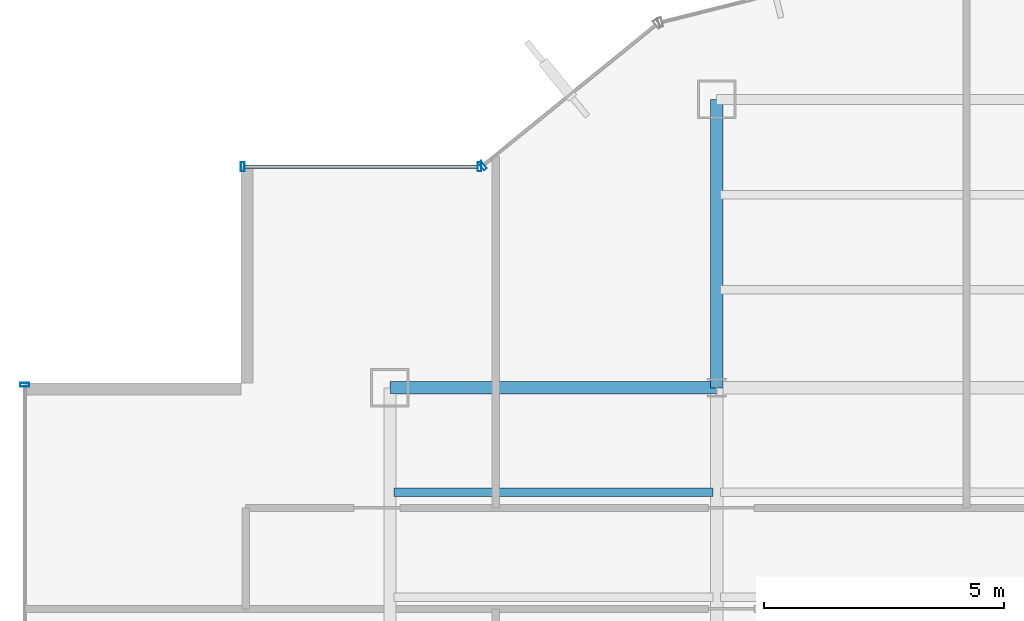
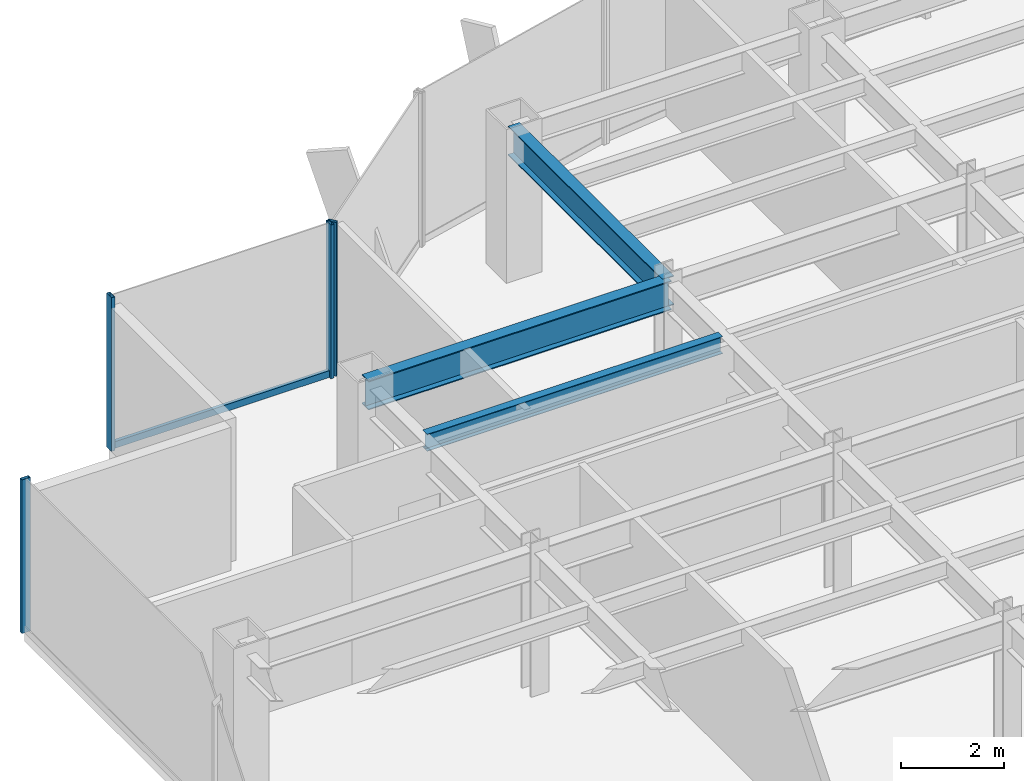
# One storey, part 13 of 26: 5 members, 3 beams, 3 elements without a shape of their own.
"""IFC4 building model written with IfcOpenShell, lengths in metres."""

from ifc_helpers import new_model, si_unit, derived_unit, direction, frame, origin, origin_2d, place, context, subcontext, project, spatial, hollow_rectangle, i_section, extrude, source, transform, mapped, material, material_profile, profile_set, type_object, element, aggregate, save


model = new_model("IFC4")

# Units and contexts
model_context = context("Model", 3, precision=1e-05, world=origin(), true_north=direction((0.0, 1.0)))
body_context = subcontext(model_context, "Body", "Model", "MODEL_VIEW")
ifc_project = project(units=[si_unit("LENGTHUNIT", "METRE"), si_unit("AREAUNIT", "SQUARE_METRE"), si_unit("VOLUMEUNIT", "CUBIC_METRE"), si_unit("PLANEANGLEUNIT", "RADIAN"), si_unit("MASSUNIT", "GRAM", prefix="KILO"), derived_unit("THERMALTRANSMITTANCEUNIT", [(si_unit("POWERUNIT", "WATT"), 1), (si_unit("LENGTHUNIT", "METRE"), -2), (si_unit("THERMODYNAMICTEMPERATUREUNIT", "KELVIN"), -1)])], contexts=[model_context])

# Site, building, storey
site_placement = place(None, origin())
site = spatial("IfcSite", under=ifc_project, at=site_placement, CompositionType="ELEMENT")
building_placement = place(site_placement, origin())
building = spatial("IfcBuilding", under=site, at=building_placement, Name="Skarnbrae Concourse Arena and Tower", CompositionType="ELEMENT")
storey_placement = place(building_placement, frame((0.0, 0.0, 121.5)))
storey = spatial("IfcBuildingStorey", under=building, at=storey_placement, Name="L30", CompositionType="ELEMENT", Elevation=121.5)

# Beams
ifc_material_1 = material(Name="Steel CSA G40.21 350W", Category="steel")
ifc_material_profile_1 = material_profile(ifc_material_1, i_section(OverallWidth=0.256103515625, OverallDepth=0.693115234375, WebThickness=0.014404296875, FlangeThickness=0.023681640625, at=origin_2d()), Name="W690X170")
ifc_profile_set_1 = profile_set([ifc_material_profile_1], Name="Steel CSA G40.21 350W")
beam_type_1 = type_object("IfcBeamType", Name="BM-GIRD-W690X170", PredefinedType="BEAM", material=ifc_profile_set_1)
shared_shape_1 = source(origin(), body_context, "Body", "SweptSolid", [
    extrude(i_section(OverallWidth=0.256103515625, OverallDepth=0.693115234375, WebThickness=0.014404296875, FlangeThickness=0.023681640625, at=origin_2d()), origin(), (0.0, 0.0, 1.0), 6.7998046875),
])
beam_1_placement = place(storey_placement, frame((7.60009765625, 34.39990234375, 3.053466796875), z_axis=(1.0, 0.0, 0.0), x_axis=(0.0, 1.0, 0.0)))
element("IfcBeam", 1, at=beam_1_placement, inside=storey, type_object=beam_type_1, Name="L30 Primary E-W girder Y34.4-1", PredefinedType="BEAM", context=body_context, shape_type="MappedRepresentation", body=[
    mapped(shared_shape_1, transform((0.0, 0.0, 0.0))),
])
shared_shape_2 = source(origin(), body_context, "Body", "SweptSolid", [
    extrude(i_section(OverallWidth=0.256103515625, OverallDepth=0.693115234375, WebThickness=0.014404296875, FlangeThickness=0.023681640625, at=origin_2d()), origin(), (0.0, 0.0, 1.0), 6.0),
])
beam_2_placement = place(storey_placement, frame((14.39990234375, 34.39990234375, 3.053466796875), z_axis=(0.0, 1.0, 0.0), x_axis=(-1.0, 0.0, 0.0)))
element("IfcBeam", 2, at=beam_2_placement, inside=storey, type_object=beam_type_1, Name="L30 Primary N-S girder X14.4-4", PredefinedType="BEAM", context=body_context, shape_type="MappedRepresentation", body=[
    mapped(shared_shape_2, transform((0.0, 0.0, 0.0))),
])
ifc_material_profile_2 = material_profile(ifc_material_1, i_section(OverallWidth=0.177978515625, OverallDepth=0.406982421875, WebThickness=0.0078125, FlangeThickness=0.0126953125, at=origin_2d()), Name="W410X60")
ifc_profile_set_2 = profile_set([ifc_material_profile_2], Name="Steel CSA G40.21 350W")
beam_type_2 = type_object("IfcBeamType", Name="BM-JOIST-W410X60", PredefinedType="JOIST", material=ifc_profile_set_2)
shared_shape_3 = source(origin(), body_context, "Body", "SweptSolid", [
    extrude(i_section(OverallWidth=0.177978515625, OverallDepth=0.406982421875, WebThickness=0.0078125, FlangeThickness=0.0126953125, at=origin_2d()), origin(), (0.0, 0.0, 1.0), 6.64013671875),
])
beam_3_placement = place(storey_placement, frame((7.679931640625, 32.221923828125, 3.196533203125), z_axis=(1.0, 0.0, 0.0), x_axis=(0.0, 1.0, 0.0)))
element("IfcBeam", 3, at=beam_3_placement, inside=storey, type_object=beam_type_2, Name="L30 Secondary floor joist 3.2.1", PredefinedType="JOIST", context=body_context, shape_type="MappedRepresentation", body=[
    mapped(shared_shape_3, transform((0.0, 0.0, 0.0))),
])

# Curtain wall, member
ifc_material_2 = material(Name="Bronze anodised aluminium 6063-T6", Category="aluminium")
curtain_wall_type = type_object("IfcCurtainWallType", Name="CW-SYS-04-MIDZONE", PredefinedType="USERDEFINED", material=ifc_material_2)
curtain_wall_1_placement = place(storey_placement, origin())
curtain_wall_1 = element("IfcCurtainWall", 4, at=curtain_wall_1_placement, inside=storey, type_object=curtain_wall_type, Name="L30 Unitised curtain wall CW-L30-E16", ObjectType="UNITISED CURTAIN WALL", PredefinedType="USERDEFINED")
ifc_material_profile_3 = material_profile(ifc_material_2, hollow_rectangle(XDim=0.074951171875, YDim=0.159912109375, WallThickness=0.00439453125, at=origin_2d()), Name="ALU-TRAN-75X160")
ifc_profile_set_3 = profile_set([ifc_material_profile_3], Name="Bronze anodised aluminium 6063-T6")
member_type_1 = type_object("IfcMemberType", Name="CWT-CW-04", PredefinedType="USERDEFINED", material=ifc_profile_set_3)
shared_shape_4 = source(origin(), body_context, "Body", "SweptSolid", [
    extrude(hollow_rectangle(XDim=0.074951171875, YDim=0.159912109375, WallThickness=0.00439453125, at=origin_2d()), origin(), (0.0, 0.0, 1.0), 4.85009765625),
])
member_1_placement = place(storey_placement, frame((9.425048828125, 39.0, 0.080078125), z_axis=(-1.0, 0.0, 0.0), x_axis=(0.0, -1.0, 0.0)))
member_1 = element("IfcMember", 5, at=member_1_placement, type_object=member_type_1, Name="CW-L30-E16 Transom 1", ObjectType="TRANSOM", PredefinedType="USERDEFINED", context=body_context, shape_type="MappedRepresentation", body=[
    mapped(shared_shape_4, transform((0.0, 0.0, 0.0))),
])

curtain_wall_2_placement = place(storey_placement, origin())
curtain_wall_2 = element("IfcCurtainWall", 6, at=curtain_wall_2_placement, inside=storey, type_object=curtain_wall_type, Name="L30 Unitised curtain wall CW-L30-E15", ObjectType="UNITISED CURTAIN WALL", PredefinedType="USERDEFINED")
ifc_material_profile_4 = material_profile(ifc_material_2, hollow_rectangle(XDim=0.074951171875, YDim=0.195068359375, WallThickness=0.00439453125, at=origin_2d()), Name="ALU-MULL-75X195")
ifc_profile_set_4 = profile_set([ifc_material_profile_4], Name="Bronze anodised aluminium 6063-T6")
member_type_2 = type_object("IfcMemberType", Name="CWM-CW-04", PredefinedType="MULLION", material=ifc_profile_set_4)
shared_shape_5 = source(origin(), body_context, "Body", "SweptSolid", [
    extrude(hollow_rectangle(XDim=0.074951171875, YDim=0.195068359375, WallThickness=0.00439453125, at=origin_2d()), origin(), (0.0, 0.0, 1.0), 3.64990234375),
])
member_2_placement = place(storey_placement, frame((9.529052734375, 39.023681640625, 0.0), z_axis=(0.0, 0.0, 1.0), x_axis=(-0.776241200471, -0.630436038542, 0.0)))
member_2 = element("IfcMember", 7, at=member_2_placement, type_object=member_type_2, Name="CW-L30-E15 Mullion 2", PredefinedType="MULLION", context=body_context, shape_type="MappedRepresentation", body=[
    mapped(shared_shape_5, transform((0.0, 0.0, 0.0))),
])
aggregate(curtain_wall_2, [member_2])

# Member
member_3_placement = place(storey_placement, frame((9.46240234375, 39.0, 0.0), z_axis=(0.0, 0.0, 1.0), x_axis=(-1.0, 0.0, 0.0)))
member_3 = element("IfcMember", 8, at=member_3_placement, type_object=member_type_2, Name="CW-L30-E16 Mullion 1", PredefinedType="MULLION", context=body_context, shape_type="MappedRepresentation", body=[
    mapped(shared_shape_5, transform((0.0, 0.0, 0.0))),
])

member_4_placement = place(storey_placement, frame((4.53759765625, 39.0, 0.0), z_axis=(0.0, 0.0, 1.0), x_axis=(-1.0, 0.0, 0.0)))
member_4 = element("IfcMember", 9, at=member_4_placement, type_object=member_type_2, Name="CW-L30-E16 Mullion 2", PredefinedType="MULLION", context=body_context, shape_type="MappedRepresentation", body=[
    mapped(shared_shape_5, transform((0.0, 0.0, 0.0))),
])

aggregate(curtain_wall_1, [member_3, member_4, member_1])

# Curtain wall, member
curtain_wall_3_placement = place(storey_placement, origin())
curtain_wall_3 = element("IfcCurtainWall", 10, at=curtain_wall_3_placement, inside=storey, type_object=curtain_wall_type, Name="L30 Unitised curtain wall CW-L30-E19", ObjectType="UNITISED CURTAIN WALL", PredefinedType="USERDEFINED")
member_5_placement = place(storey_placement, frame((0.0, 34.46240234375, 0.0), z_axis=(0.0, 0.0, 1.0), x_axis=(0.0, -1.0, 0.0)))
member_5 = element("IfcMember", 11, at=member_5_placement, type_object=member_type_2, Name="CW-L30-E19 Mullion 1", PredefinedType="MULLION", context=body_context, shape_type="MappedRepresentation", body=[
    mapped(shared_shape_5, transform((0.0, 0.0, 0.0))),
])
aggregate(curtain_wall_3, [member_5])

save(model, "model.ifc")
